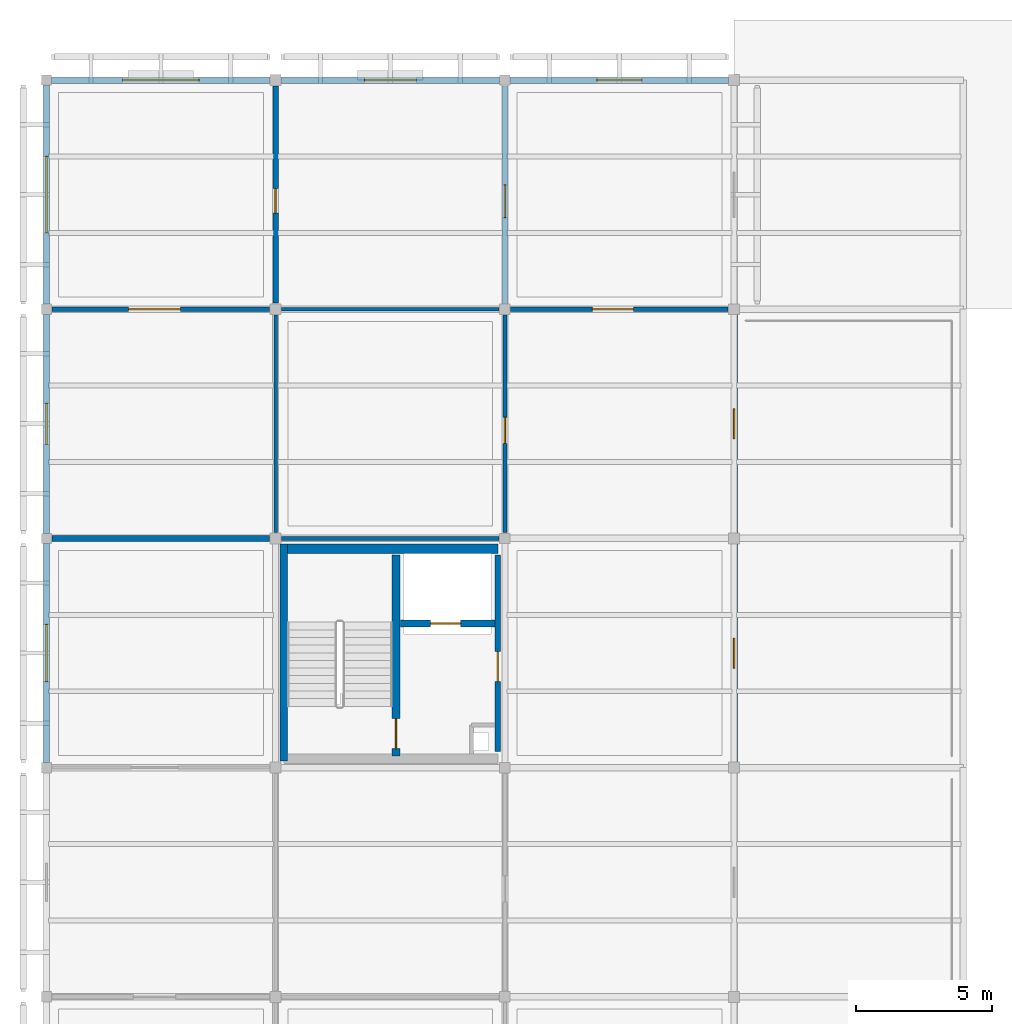
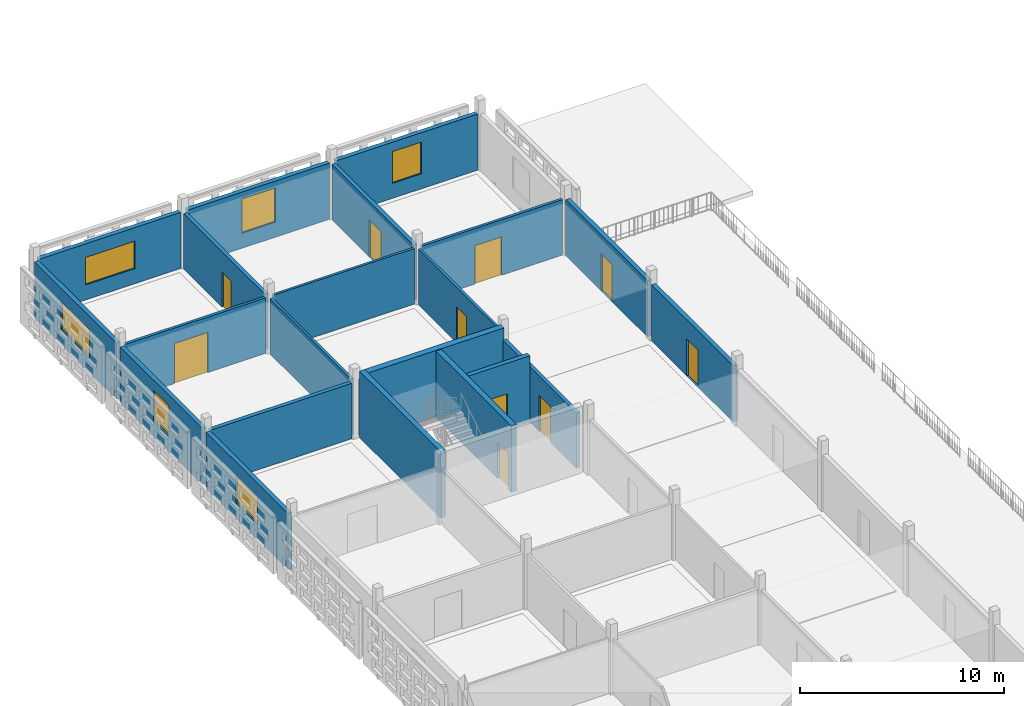
# One storey, part 20 of 31: 22 walls, 10 doors, 6 windows, 16 openings.
"""IFC4 building model written with IfcOpenShell, lengths in metres."""

from ifc_helpers import new_model, si_unit, direction, frame, frame_2d, origin, place, context, subcontext, project, spatial, rectangle, extrude, material, layer, layer_set, type_object, element, fill, save


model = new_model("IFC4")

# Units and contexts
model_context = context("Model", 3, precision=1e-05, world=origin(), true_north=direction((0.0, 1.0)))
body_context = subcontext(model_context, "Body", "Model", "MODEL_VIEW")
ifc_project = project(units=[si_unit("LENGTHUNIT", "METRE"), si_unit("AREAUNIT", "SQUARE_METRE"), si_unit("VOLUMEUNIT", "CUBIC_METRE"), si_unit("PLANEANGLEUNIT", "RADIAN"), si_unit("MASSUNIT", "GRAM", prefix="KILO")], contexts=[model_context])

# Site, building, storey
site_placement = place(None, origin())
site = spatial("IfcSite", under=ifc_project, at=site_placement, CompositionType="ELEMENT")
building_placement = place(site_placement, origin())
building = spatial("IfcBuilding", under=site, at=building_placement, Name="Varnapada Polytechnic", CompositionType="ELEMENT")
storey_placement = place(building_placement, frame((0.0, 0.0, 22.199951171875)))
storey = spatial("IfcBuildingStorey", under=building, at=storey_placement, Name="L05", CompositionType="ELEMENT", Elevation=22.199951171875)

# Wall, opening, door
ifc_material_1 = material(Name="Autoclaved Aerated Concrete Block AAC-600", Category="concrete")
ifc_layer_1 = layer(ifc_material_1, 0.199951171875)
ifc_layer_set_1 = layer_set([ifc_layer_1], Name="Autoclaved Aerated Concrete Block AAC-600")
wall_type_1 = type_object("IfcWallType", Name="Interior Wall IW-01", PredefinedType="PARTITIONING", material=ifc_layer_set_1)
wall_1_placement = place(storey_placement, frame((16.5400390625, 108.60009765625, 0.0), z_axis=(0.0, 0.0, 1.0), x_axis=(0.0, -1.0, 0.0)))
wall_1 = element("IfcWall", 1, at=wall_1_placement, inside=storey, type_object=wall_type_1, Name="L05 C1 firefighting lobby east wall", PredefinedType="PARTITIONING", context=body_context, shape_type="SweptSolid", body=[
    extrude(rectangle(XDim=7.2001953125, YDim=0.199951171875, at=frame_2d((3.60009765625, 0.0))), origin(), (0.0, 0.0, 1.0), 3.320068359375),
])
opening_1_placement = place(wall_1_placement, frame((3.550048828125, 0.0, 0.0)))
opening_1 = element("IfcOpeningElement", 2, at=opening_1_placement, cuts=wall_1, Name="Opening D-1312", PredefinedType="OPENING", context=body_context, shape_type="SweptSolid", body=[
    extrude(rectangle(XDim=1.10009765625, YDim=2.14990234375, at=frame_2d((0.550048828125, 1.074951171875))), frame((0.0, 0.10986328125, 0.0), z_axis=(0.0, -1.0, 0.0), x_axis=(1.0, 0.0, 0.0)), (0.0, 0.0, 1.0), 0.219970703125),
])
ifc_material_2 = material(Name="Galvanized Steel Z275", Category="steel")
door_type_1 = type_object("IfcDoorType", Name="Interior Door ID-01", OperationType="NOTDEFINED", PredefinedType="DOOR", material=ifc_material_2)
door_1_placement = place(opening_1_placement, frame((1.10009765625, 0.0, 0.0), z_axis=(0.0, 0.0, 1.0), x_axis=(-1.0, 0.0, 0.0)))
door_1 = element("IfcDoor", 3, at=door_1_placement, inside=storey, type_object=door_type_1, Name="L05 C1 lobby fire door D-1312", OperationType="SINGLE_SWING_RIGHT", OverallHeight=2.14990234375, OverallWidth=1.10009765625, PredefinedType="DOOR", context=body_context, shape_type="SweptSolid", body=[
    extrude(rectangle(XDim=1.10009765625, YDim=2.14990234375, at=frame_2d((0.550048828125, 1.074951171875))), frame((0.0, 0.02490234375, 0.0), z_axis=(0.0, -1.0, 0.0), x_axis=(1.0, 0.0, 0.0)), (0.0, 0.0, 1.0), 0.050048828125),
])
fill(opening_1, door_1)

# Walls
ifc_material_3 = material(Name="Moisture-Resistant Cement Board Partition")
ifc_layer_2 = layer(ifc_material_3, 0.139892578125)
ifc_layer_set_2 = layer_set([ifc_layer_2], Name="Moisture-Resistant Cement Board Partition")
wall_type_2 = type_object("IfcWallType", Name="Interior Wall IW-04", PredefinedType="PARTITIONING", material=ifc_layer_set_2)
wall_2_placement = place(storey_placement, frame((8.39990234375, 109.419921875, 0.0), z_axis=(0.0, 0.0, 1.0), x_axis=(0.0, 1.0, 0.0)))
element("IfcWall", 4, at=wall_2_placement, inside=storey, type_object=wall_type_2, Name="L05 interior partition IW-L05-00-13-V", PredefinedType="PARTITIONING", context=body_context, shape_type="SweptSolid", body=[
    extrude(rectangle(XDim=7.9599609375, YDim=0.139892578125, at=frame_2d((3.97998046875, 0.0))), origin(), (0.0, 0.0, 1.0), 3.320068359375),
])
wall_3_placement = place(storey_placement, frame((8.6201171875, 109.199951171875, 0.0), z_axis=(0.0, 0.0, 1.0), x_axis=(1.0, 0.0, 0.0)))
element("IfcWall", 5, at=wall_3_placement, inside=storey, type_object=wall_type_2, Name="L05 interior partition IW-L05-01-12-H", PredefinedType="PARTITIONING", context=body_context, shape_type="SweptSolid", body=[
    extrude(rectangle(XDim=7.969970703125, YDim=0.139892578125, at=frame_2d((3.98486328125, 0.0))), origin(), (0.0, 0.0, 1.0), 3.320068359375),
])

# Wall, opening, door
wall_4_placement = place(storey_placement, frame((16.800048828125, 109.409912109375, 0.0), z_axis=(0.0, 0.0, 1.0), x_axis=(0.0, 1.0, 0.0)))
wall_4 = element("IfcWall", 6, at=wall_4_placement, inside=storey, type_object=wall_type_2, Name="L05 interior partition IW-L05-01-13-V", PredefinedType="PARTITIONING", context=body_context, shape_type="SweptSolid", body=[
    extrude(rectangle(XDim=7.97998046875, YDim=0.139892578125, at=frame_2d((3.989990234375, 0.0))), origin(), (0.0, 0.0, 1.0), 3.320068359375),
])
opening_2_placement = place(wall_4_placement, frame((3.27490234375, 0.0, 0.0)))
opening_2 = element("IfcOpeningElement", 7, at=opening_2_placement, cuts=wall_4, Name="Opening D-1328", PredefinedType="OPENING", context=body_context, shape_type="SweptSolid", body=[
    extrude(rectangle(XDim=0.949951171875, YDim=2.14990234375, at=frame_2d((0.47509765625, 1.074951171875))), frame((0.0, 0.079833984375, 0.0), z_axis=(0.0, -1.0, 0.0), x_axis=(1.0, 0.0, 0.0)), (0.0, 0.0, 1.0), 0.159912109375),
])
ifc_material_4 = material(Name="Moisture-Resistant HPL Timber", Category="wood")
door_type_2 = type_object("IfcDoorType", Name="Interior Door ID-03", OperationType="NOTDEFINED", PredefinedType="DOOR", material=ifc_material_4)
door_2_placement = place(opening_2_placement, frame((0.949951171875, 0.0, 0.0), z_axis=(0.0, 0.0, 1.0), x_axis=(-1.0, 0.0, 0.0)))
door_2 = element("IfcDoor", 8, at=door_2_placement, inside=storey, type_object=door_type_2, Name="L05 interior room door D-1328", OperationType="SINGLE_SWING_LEFT", OverallHeight=2.14990234375, OverallWidth=0.949951171875, PredefinedType="DOOR", context=body_context, shape_type="SweptSolid", body=[
    extrude(rectangle(XDim=0.949951171875, YDim=2.14990234375, at=frame_2d((0.47509765625, 1.074951171875))), frame((0.0, 0.02490234375, 0.0), z_axis=(0.0, -1.0, 0.0), x_axis=(1.0, 0.0, 0.0)), (0.0, 0.0, 1.0), 0.050048828125),
])
fill(opening_2, door_2)

# Walls
wall_5_placement = place(storey_placement, frame((8.6201171875, 117.60009765625, 0.0), z_axis=(0.0, 0.0, 1.0), x_axis=(1.0, 0.0, 0.0)))
element("IfcWall", 9, at=wall_5_placement, inside=storey, type_object=wall_type_2, Name="L05 interior partition IW-L05-01-13-H", PredefinedType="PARTITIONING", context=body_context, shape_type="SweptSolid", body=[
    extrude(rectangle(XDim=7.969970703125, YDim=0.139892578125, at=frame_2d((3.98486328125, 0.0))), origin(), (0.0, 0.0, 1.0), 3.320068359375),
])
ifc_material_5 = material(Name="Heavy Acoustic Auditorium Baffle Wall")
ifc_layer_3 = layer(ifc_material_5, 0.219970703125)
ifc_layer_set_3 = layer_set([ifc_layer_3], Name="Heavy Acoustic Auditorium Baffle Wall")
wall_type_3 = type_object("IfcWallType", Name="Interior Wall IW-13", PredefinedType="PARTITIONING", material=ifc_layer_set_3)
wall_6_placement = place(storey_placement, frame((0.2099609375, 109.199951171875, 0.0), z_axis=(0.0, 0.0, 1.0), x_axis=(1.0, 0.0, 0.0)))
element("IfcWall", 10, at=wall_6_placement, inside=storey, type_object=wall_type_3, Name="L05 interior partition IW-L05-00-12-H", PredefinedType="PARTITIONING", context=body_context, shape_type="SweptSolid", body=[
    extrude(rectangle(XDim=7.969970703125, YDim=0.219970703125, at=frame_2d((3.98486328125, 0.0))), origin(), (0.0, 0.0, 1.0), 3.320068359375),
])

# Wall, opening, door
wall_7_placement = place(storey_placement, frame((16.800048828125, 117.81005859375, 0.0), z_axis=(0.0, 0.0, 1.0), x_axis=(0.0, 1.0, 0.0)))
wall_7 = element("IfcWall", 11, at=wall_7_placement, inside=storey, type_object=wall_type_3, Name="L05 interior partition IW-L05-01-14-V", PredefinedType="PARTITIONING", context=body_context, shape_type="SweptSolid", body=[
    extrude(rectangle(XDim=7.97998046875, YDim=0.219970703125, at=frame_2d((3.989990234375, 0.0))), origin(), (0.0, 0.0, 1.0), 3.320068359375),
])
opening_3_placement = place(wall_7_placement, frame((3.14990234375, 0.0, 0.0)))
opening_3 = element("IfcOpeningElement", 12, at=opening_3_placement, cuts=wall_7, Name="Opening D-1329", PredefinedType="OPENING", context=body_context, shape_type="SweptSolid", body=[
    extrude(rectangle(XDim=1.199951171875, YDim=2.199951171875, at=frame_2d((0.60009765625, 1.10009765625))), frame((0.0, 0.119873046875, 0.0), z_axis=(0.0, -1.0, 0.0), x_axis=(1.0, 0.0, 0.0)), (0.0, 0.0, 1.0), 0.239990234375),
])
ifc_material_6 = material(Name="Solid Teak Hardwood Timber", Category="wood")
door_type_3 = type_object("IfcDoorType", Name="Interior Door ID-05", OperationType="NOTDEFINED", PredefinedType="DOOR", material=ifc_material_6)
door_3_placement = place(opening_3_placement, origin())
door_3 = element("IfcDoor", 13, at=door_3_placement, inside=storey, type_object=door_type_3, Name="L05 interior room door D-1329", OperationType="SINGLE_SWING_RIGHT", OverallHeight=2.199951171875, OverallWidth=1.199951171875, PredefinedType="DOOR", context=body_context, shape_type="SweptSolid", body=[
    extrude(rectangle(XDim=1.199951171875, YDim=2.199951171875, at=frame_2d((0.60009765625, 1.10009765625))), frame((0.0, 0.02490234375, 0.0), z_axis=(0.0, -1.0, 0.0), x_axis=(1.0, 0.0, 0.0)), (0.0, 0.0, 1.0), 0.050048828125),
])
fill(opening_3, door_3)

ifc_material_7 = material(Name="Perforated Timber-Lined Seminar Wall", Category="wood")
ifc_layer_4 = layer(ifc_material_7, 0.155029296875)
ifc_layer_set_4 = layer_set([ifc_layer_4], Name="Perforated Timber-Lined Seminar Wall")
wall_type_4 = type_object("IfcWallType", Name="Interior Wall IW-15", PredefinedType="PARTITIONING", material=ifc_layer_set_4)
wall_8_placement = place(storey_placement, frame((0.2099609375, 117.60009765625, 0.0), z_axis=(0.0, 0.0, 1.0), x_axis=(1.0, 0.0, 0.0)))
wall_8 = element("IfcWall", 14, at=wall_8_placement, inside=storey, type_object=wall_type_4, Name="L05 interior partition IW-L05-00-13-H", PredefinedType="PARTITIONING", context=body_context, shape_type="SweptSolid", body=[
    extrude(rectangle(XDim=7.969970703125, YDim=0.155029296875, at=frame_2d((3.98486328125, 0.0))), origin(), (0.0, 0.0, 1.0), 3.320068359375),
])
opening_4_placement = place(wall_8_placement, frame((2.800048828125, 0.0, 0.0)))
opening_4 = element("IfcOpeningElement", 15, at=opening_4_placement, cuts=wall_8, Name="Opening D-1321", PredefinedType="OPENING", context=body_context, shape_type="SweptSolid", body=[
    extrude(rectangle(XDim=1.89990234375, YDim=2.39990234375, at=frame_2d((0.949951171875, 1.199951171875))), frame((0.0, 0.08740234375, 0.0), z_axis=(0.0, -1.0, 0.0), x_axis=(1.0, 0.0, 0.0)), (0.0, 0.0, 1.0), 0.175048828125),
])
ifc_material_8 = material(Name="Heavy Workshop Double Steel Door", Category="steel")
door_type_4 = type_object("IfcDoorType", Name="Interior Door ID-14", OperationType="NOTDEFINED", PredefinedType="DOOR", material=ifc_material_8)
door_4_placement = place(opening_4_placement, origin())
door_4 = element("IfcDoor", 16, at=door_4_placement, inside=storey, type_object=door_type_4, Name="L05 interior room door D-1321", OperationType="SINGLE_SWING_RIGHT", OverallHeight=2.39990234375, OverallWidth=1.89990234375, PredefinedType="DOOR", context=body_context, shape_type="SweptSolid", body=[
    extrude(rectangle(XDim=1.89990234375, YDim=2.39990234375, at=frame_2d((0.949951171875, 1.199951171875))), frame((0.0, 0.02490234375, 0.0), z_axis=(0.0, -1.0, 0.0), x_axis=(1.0, 0.0, 0.0)), (0.0, 0.0, 1.0), 0.050048828125),
])
fill(opening_4, door_4)

wall_9_placement = place(storey_placement, frame((17.010009765625, 117.60009765625, 0.0), z_axis=(0.0, 0.0, 1.0), x_axis=(1.0, 0.0, 0.0)))
wall_9 = element("IfcWall", 17, at=wall_9_placement, inside=storey, type_object=wall_type_4, Name="L05 interior partition IW-L05-02-13-H", PredefinedType="PARTITIONING", context=body_context, shape_type="SweptSolid", body=[
    extrude(rectangle(XDim=7.969970703125, YDim=0.155029296875, at=frame_2d((3.98486328125, 0.0))), origin(), (0.0, 0.0, 1.0), 3.320068359375),
])
opening_5_placement = place(wall_9_placement, frame((3.0, 0.0, 0.0)))
opening_5 = element("IfcOpeningElement", 18, at=opening_5_placement, cuts=wall_9, Name="Opening D-1331", PredefinedType="OPENING", context=body_context, shape_type="SweptSolid", body=[
    extrude(rectangle(XDim=1.5, YDim=2.300048828125, at=frame_2d((0.75, 1.14990234375))), frame((0.0, 0.08740234375, 0.0), z_axis=(0.0, -1.0, 0.0), x_axis=(1.0, 0.0, 0.0)), (0.0, 0.0, 1.0), 0.175048828125),
])
door_type_5 = type_object("IfcDoorType", Name="Interior Door ID-07", OperationType="NOTDEFINED", PredefinedType="DOOR", material=ifc_material_2)
door_5_placement = place(opening_5_placement, frame((1.5, 0.0, 0.0), z_axis=(0.0, 0.0, 1.0), x_axis=(-1.0, 0.0, 0.0)))
door_5 = element("IfcDoor", 19, at=door_5_placement, inside=storey, type_object=door_type_5, Name="L05 interior room door D-1331", OperationType="SINGLE_SWING_RIGHT", OverallHeight=2.300048828125, OverallWidth=1.5, PredefinedType="DOOR", context=body_context, shape_type="SweptSolid", body=[
    extrude(rectangle(XDim=1.5, YDim=2.300048828125, at=frame_2d((0.75, 1.14990234375))), frame((0.0, 0.02490234375, 0.0), z_axis=(0.0, -1.0, 0.0), x_axis=(1.0, 0.0, 0.0)), (0.0, 0.0, 1.0), 0.050048828125),
])
fill(opening_5, door_5)

ifc_material_9 = material(Name="Heavy Masonry Workshop Partition", Category="masonry")
ifc_layer_5 = layer(ifc_material_9, 0.2099609375)
ifc_layer_set_5 = layer_set([ifc_layer_5], Name="Heavy Masonry Workshop Partition")
wall_type_5 = type_object("IfcWallType", Name="Interior Wall IW-16", PredefinedType="PARTITIONING", material=ifc_layer_set_5)
wall_10_placement = place(storey_placement, frame((8.39990234375, 117.820068359375, 0.0), z_axis=(0.0, 0.0, 1.0), x_axis=(0.0, 1.0, 0.0)))
wall_10 = element("IfcWall", 20, at=wall_10_placement, inside=storey, type_object=wall_type_5, Name="L05 interior partition IW-L05-00-14-V", PredefinedType="PARTITIONING", context=body_context, shape_type="SweptSolid", body=[
    extrude(rectangle(XDim=7.9599609375, YDim=0.2099609375, at=frame_2d((3.97998046875, 0.0))), origin(), (0.0, 0.0, 1.0), 3.320068359375),
])
opening_6_placement = place(wall_10_placement, frame((3.300048828125, 0.0, 0.0)))
opening_6 = element("IfcOpeningElement", 21, at=opening_6_placement, cuts=wall_10, Name="Opening D-1322", PredefinedType="OPENING", context=body_context, shape_type="SweptSolid", body=[
    extrude(rectangle(XDim=0.89990234375, YDim=2.10009765625, at=frame_2d((0.449951171875, 1.050048828125))), frame((0.0, 0.114990234375, 0.0), z_axis=(0.0, -1.0, 0.0), x_axis=(1.0, 0.0, 0.0)), (0.0, 0.0, 1.0), 0.22998046875),
])
door_type_6 = type_object("IfcDoorType", Name="Interior Door ID-15", OperationType="NOTDEFINED", PredefinedType="DOOR", material=ifc_material_4)
door_6_placement = place(opening_6_placement, frame((0.89990234375, 0.0, 0.0), z_axis=(0.0, 0.0, 1.0), x_axis=(-1.0, 0.0, 0.0)))
door_6 = element("IfcDoor", 22, at=door_6_placement, inside=storey, type_object=door_type_6, Name="L05 interior room door D-1322", OperationType="SINGLE_SWING_LEFT", OverallHeight=2.10009765625, OverallWidth=0.89990234375, PredefinedType="DOOR", context=body_context, shape_type="SweptSolid", body=[
    extrude(rectangle(XDim=0.89990234375, YDim=2.10009765625, at=frame_2d((0.449951171875, 1.050048828125))), frame((0.0, 0.02490234375, 0.0), z_axis=(0.0, -1.0, 0.0), x_axis=(1.0, 0.0, 0.0)), (0.0, 0.0, 1.0), 0.050048828125),
])
fill(opening_6, door_6)

# Wall
ifc_material_10 = material(Name="Concrete C40/50", Category="concrete")
ifc_layer_6 = layer(ifc_material_10, 0.35009765625)
ifc_layer_set_6 = layer_set([ifc_layer_6], Name="Concrete C40/50")
wall_type_6 = type_object("IfcWallType", Name="Interior Wall SW-01", PredefinedType="SHEAR", material=ifc_layer_set_6)
wall_11_placement = place(storey_placement, frame((8.699951171875, 108.820068359375, 0.0), z_axis=(0.0, 0.0, 1.0), x_axis=(1.0, 0.0, 0.0)))
element("IfcWall", 23, at=wall_11_placement, inside=storey, type_object=wall_type_6, Name="L05 C1 core north shear wall", PredefinedType="SHEAR", context=body_context, shape_type="SweptSolid", body=[
    extrude(rectangle(XDim=7.840087890625, YDim=0.35009765625, at=frame_2d((3.919921875, 0.0))), origin(), (0.0, 0.0, 1.0), 3.97998046875),
])

# Wall, opening, door
ifc_layer_7 = layer(ifc_material_10, 0.300048828125)
ifc_layer_set_7 = layer_set([ifc_layer_7], Name="Concrete C40/50")
wall_type_7 = type_object("IfcWallType", Name="Interior Wall SW-02", PredefinedType="SHEAR", material=ifc_layer_set_7)
wall_12_placement = place(storey_placement, frame((12.81005859375, 101.219970703125, 0.0), z_axis=(0.0, 0.0, 1.0), x_axis=(0.0, 1.0, 0.0)))
wall_12 = element("IfcWall", 24, at=wall_12_placement, inside=storey, type_object=wall_type_7, Name="L05 C1 stair-lobby dividing shear wall", PredefinedType="SHEAR", context=body_context, shape_type="SweptSolid", body=[
    extrude(rectangle(XDim=7.380126953125, YDim=0.300048828125, at=frame_2d((3.68994140625, 0.0))), origin(), (0.0, 0.0, 1.0), 3.97998046875),
])
opening_7_placement = place(wall_12_placement, frame((0.280029296875, 0.0, 0.0)))
opening_7 = element("IfcOpeningElement", 25, at=opening_7_placement, cuts=wall_12, Name="Opening D-1313", PredefinedType="OPENING", context=body_context, shape_type="SweptSolid", body=[
    extrude(rectangle(XDim=1.10009765625, YDim=2.14990234375, at=frame_2d((0.550048828125, 1.074951171875))), frame((0.0, 0.159912109375, 0.0), z_axis=(0.0, -1.0, 0.0), x_axis=(1.0, 0.0, 0.0)), (0.0, 0.0, 1.0), 0.320068359375),
])
door_7_placement = place(opening_7_placement, origin())
door_7 = element("IfcDoor", 26, at=door_7_placement, inside=storey, type_object=door_type_1, Name="L05 C1 exit stair door D-1313", OperationType="SINGLE_SWING_RIGHT", OverallHeight=2.14990234375, OverallWidth=1.10009765625, PredefinedType="DOOR", context=body_context, shape_type="SweptSolid", body=[
    extrude(rectangle(XDim=1.10009765625, YDim=2.14990234375, at=frame_2d((0.550048828125, 1.074951171875))), frame((0.0, 0.02490234375, 0.0), z_axis=(0.0, -1.0, 0.0), x_axis=(1.0, 0.0, 0.0)), (0.0, 0.0, 1.0), 0.050048828125),
])
fill(opening_7, door_7)

# Wall
ifc_layer_8 = layer(ifc_material_10, 0.280029296875)
ifc_layer_set_8 = layer_set([ifc_layer_8], Name="Concrete C40/50")
wall_type_8 = type_object("IfcWallType", Name="Interior Wall SW-04", PredefinedType="SHEAR", material=ifc_layer_set_8)
wall_13_placement = place(storey_placement, frame((8.699951171875, 101.050048828125, 0.0), z_axis=(0.0, 0.0, 1.0), x_axis=(0.0, 1.0, 0.0)))
element("IfcWall", 27, at=wall_13_placement, inside=storey, type_object=wall_type_8, Name="L05 C1 stair west shear wall", PredefinedType="SHEAR", context=body_context, shape_type="SweptSolid", body=[
    extrude(rectangle(XDim=7.93994140625, YDim=0.280029296875, at=frame_2d((3.969970703125, 0.0))), origin(), (0.0, 0.0, 1.0), 3.97998046875),
])

# Wall, opening, door
ifc_layer_9 = layer(ifc_material_10, 0.25)
ifc_layer_set_9 = layer_set([ifc_layer_9], Name="Concrete C40/50")
wall_type_9 = type_object("IfcWallType", Name="Interior Wall SW-05", PredefinedType="SHEAR", material=ifc_layer_set_9)
wall_14_placement = place(storey_placement, frame((12.97998046875, 106.080078125, 0.0), z_axis=(0.0, 0.0, 1.0), x_axis=(1.0, 0.0, 0.0)))
wall_14 = element("IfcWall", 28, at=wall_14_placement, inside=storey, type_object=wall_type_9, Name="L05 C1 lift shaft front wall", PredefinedType="SHEAR", context=body_context, shape_type="SweptSolid", body=[
    extrude(rectangle(XDim=3.4599609375, YDim=0.25, at=frame_2d((1.72998046875, 0.0))), origin(), (0.0, 0.0, 1.0), 3.97998046875),
])
opening_8_placement = place(wall_14_placement, frame((1.10009765625, 0.0, 0.0)))
opening_8 = element("IfcOpeningElement", 29, at=opening_8_placement, cuts=wall_14, Name="Opening LD-035", PredefinedType="OPENING", context=body_context, shape_type="SweptSolid", body=[
    extrude(rectangle(XDim=1.10009765625, YDim=2.14990234375, at=frame_2d((0.550048828125, 1.074951171875))), frame((0.0, 0.135009765625, 0.0), z_axis=(0.0, -1.0, 0.0), x_axis=(1.0, 0.0, 0.0)), (0.0, 0.0, 1.0), 0.27001953125),
])
ifc_material_11 = material(Name="Brushed Stainless Steel 316", Category="steel")
door_type_7 = type_object("IfcDoorType", Name="Interior Door LD-01", OperationType="NOTDEFINED", PredefinedType="DOOR", material=ifc_material_11)
door_8_placement = place(opening_8_placement, origin())
door_8 = element("IfcDoor", 30, at=door_8_placement, inside=storey, type_object=door_type_7, Name="L05 LFT-01 sliding lift landing door LD-035", OperationType="DOUBLE_DOOR_SLIDING", OverallHeight=2.14990234375, OverallWidth=1.10009765625, PredefinedType="DOOR", context=body_context, shape_type="SweptSolid", body=[
    extrude(rectangle(XDim=1.10009765625, YDim=2.14990234375, at=frame_2d((0.550048828125, 1.074951171875))), frame((0.0, 0.02490234375, 0.0), z_axis=(0.0, -1.0, 0.0), x_axis=(1.0, 0.0, 0.0)), (0.0, 0.0, 1.0), 0.050048828125),
])
fill(opening_8, door_8)

# Wall, opening, window
ifc_material_12 = material(Name="Precast concrete C40/50", Category="concrete")
ifc_layer_10 = layer(ifc_material_12, 0.239990234375)
ifc_layer_set_10 = layer_set([ifc_layer_10], Name="Precast concrete C40/50")
wall_type_10 = type_object("IfcWallType", Name="Wall EW-06", PredefinedType="SOLIDWALL", material=ifc_layer_set_10)
wall_15_placement = place(storey_placement, frame((0.0, 100.989990234375, 0.0), z_axis=(0.0, 0.0, 1.0), x_axis=(0.0, 1.0, 0.0)))
wall_15 = element("IfcWall", 31, at=wall_15_placement, inside=storey, type_object=wall_type_10, Name="L05 exterior wall EW-06 (8)", PredefinedType="SOLIDWALL", context=body_context, shape_type="SweptSolid", body=[
    extrude(rectangle(XDim=8.02001953125, YDim=0.239990234375, at=frame_2d((4.010009765625, 0.0))), origin(), (0.0, 0.0, 1.0), 3.360107421875),
])
opening_9_placement = place(wall_15_placement, frame((2.9599609375, 0.0, 0.89990234375)))
opening_9 = element("IfcOpeningElement", 32, at=opening_9_placement, cuts=wall_15, Name="Opening WN-07", PredefinedType="OPENING", context=body_context, shape_type="SweptSolid", body=[
    extrude(rectangle(XDim=2.10009765625, YDim=1.60009765625, at=frame_2d((1.050048828125, 0.800048828125))), frame((0.0, 0.1298828125, 0.0), z_axis=(0.0, -1.0, 0.0), x_axis=(1.0, 0.0, 0.0)), (0.0, 0.0, 1.0), 0.260009765625),
])
ifc_material_13 = material(Name="Double low-E laminated glass", Category="glass")
window_type_1 = type_object("IfcWindowType", Name="Window WN-07", PartitioningType="SINGLE_PANEL", PredefinedType="WINDOW", material=ifc_material_13)
window_1_placement = place(opening_9_placement, origin())
window_1 = element("IfcWindow", 33, at=window_1_placement, inside=storey, type_object=window_type_1, Name="L05 window WN-07 (238)", OverallHeight=1.60009765625, OverallWidth=2.10009765625, PartitioningType="SINGLE_PANEL", PredefinedType="WINDOW", context=body_context, shape_type="SweptSolid", body=[
    extrude(rectangle(XDim=2.10009765625, YDim=1.60009765625, at=frame_2d((1.050048828125, 0.800048828125))), frame((0.0, 0.030029296875, 0.0), z_axis=(0.0, -1.0, 0.0), x_axis=(1.0, 0.0, 0.0)), (0.0, 0.0, 1.0), 0.06005859375),
])
fill(opening_9, window_1)

wall_16_placement = place(storey_placement, frame((0.0, 109.389892578125, 0.0), z_axis=(0.0, 0.0, 1.0), x_axis=(0.0, 1.0, 0.0)))
wall_16 = element("IfcWall", 34, at=wall_16_placement, inside=storey, type_object=wall_type_10, Name="L05 exterior wall EW-06 (9)", PredefinedType="SOLIDWALL", context=body_context, shape_type="SweptSolid", body=[
    extrude(rectangle(XDim=8.02001953125, YDim=0.239990234375, at=frame_2d((4.010009765625, 0.0))), origin(), (0.0, 0.0, 1.0), 3.360107421875),
])
opening_10_placement = place(wall_16_placement, frame((3.260009765625, 0.0, 0.89990234375)))
opening_10 = element("IfcOpeningElement", 35, at=opening_10_placement, cuts=wall_16, Name="Opening WN-10", PredefinedType="OPENING", context=body_context, shape_type="SweptSolid", body=[
    extrude(rectangle(XDim=1.5, YDim=1.85009765625, at=frame_2d((0.75, 0.925048828125))), frame((0.0, 0.1298828125, 0.0), z_axis=(0.0, -1.0, 0.0), x_axis=(1.0, 0.0, 0.0)), (0.0, 0.0, 1.0), 0.260009765625),
])
window_type_2 = type_object("IfcWindowType", Name="Window WN-10", PartitioningType="SINGLE_PANEL", PredefinedType="WINDOW", material=ifc_material_13)
window_2_placement = place(opening_10_placement, origin())
window_2 = element("IfcWindow", 36, at=window_2_placement, inside=storey, type_object=window_type_2, Name="L05 window WN-10 (239)", OverallHeight=1.85009765625, OverallWidth=1.5, PartitioningType="SINGLE_PANEL", PredefinedType="WINDOW", context=body_context, shape_type="SweptSolid", body=[
    extrude(rectangle(XDim=1.5, YDim=1.85009765625, at=frame_2d((0.75, 0.925048828125))), frame((0.0, 0.030029296875, 0.0), z_axis=(0.0, -1.0, 0.0), x_axis=(1.0, 0.0, 0.0)), (0.0, 0.0, 1.0), 0.06005859375),
])
fill(opening_10, window_2)

wall_17_placement = place(storey_placement, frame((0.18994140625, 126.0, 0.0), z_axis=(0.0, 0.0, 1.0), x_axis=(1.0, 0.0, 0.0)))
wall_17 = element("IfcWall", 37, at=wall_17_placement, inside=storey, type_object=wall_type_10, Name="L05 exterior wall EW-06 (10)", PredefinedType="SOLIDWALL", context=body_context, shape_type="SweptSolid", body=[
    extrude(rectangle(XDim=8.010009765625, YDim=0.239990234375, at=frame_2d((4.0048828125, 0.0))), origin(), (0.0, 0.0, 1.0), 3.360107421875),
])
opening_11_placement = place(wall_17_placement, frame((2.60498046875, 0.0, 0.89990234375)))
opening_11 = element("IfcOpeningElement", 38, at=opening_11_placement, cuts=wall_17, Name="Opening WN-13", PredefinedType="OPENING", context=body_context, shape_type="SweptSolid", body=[
    extrude(rectangle(XDim=2.800048828125, YDim=1.64990234375, at=frame_2d((1.39990234375, 0.824951171875))), frame((0.0, 0.1298828125, 0.0), z_axis=(0.0, -1.0, 0.0), x_axis=(1.0, 0.0, 0.0)), (0.0, 0.0, 1.0), 0.260009765625),
])
window_type_3 = type_object("IfcWindowType", Name="Window WN-13", PartitioningType="SINGLE_PANEL", PredefinedType="WINDOW", material=ifc_material_13)
window_3_placement = place(opening_11_placement, origin())
window_3 = element("IfcWindow", 39, at=window_3_placement, inside=storey, type_object=window_type_3, Name="L05 window WN-13 (240)", OverallHeight=1.64990234375, OverallWidth=2.800048828125, PartitioningType="SINGLE_PANEL", PredefinedType="WINDOW", context=body_context, shape_type="SweptSolid", body=[
    extrude(rectangle(XDim=2.800048828125, YDim=1.64990234375, at=frame_2d((1.39990234375, 0.824951171875))), frame((0.0, 0.030029296875, 0.0), z_axis=(0.0, -1.0, 0.0), x_axis=(1.0, 0.0, 0.0)), (0.0, 0.0, 1.0), 0.06005859375),
])
fill(opening_11, window_3)

wall_18_placement = place(storey_placement, frame((0.0, 117.7900390625, 0.0), z_axis=(0.0, 0.0, 1.0), x_axis=(0.0, 1.0, 0.0)))
wall_18 = element("IfcWall", 40, at=wall_18_placement, inside=storey, type_object=wall_type_10, Name="L05 exterior wall EW-06 (11)", PredefinedType="SOLIDWALL", context=body_context, shape_type="SweptSolid", body=[
    extrude(rectangle(XDim=8.02001953125, YDim=0.239990234375, at=frame_2d((4.010009765625, 0.0))), origin(), (0.0, 0.0, 1.0), 3.360107421875),
])
opening_12_placement = place(wall_18_placement, frame((2.610107421875, 0.0, 0.89990234375)))
opening_12 = element("IfcOpeningElement", 41, at=opening_12_placement, cuts=wall_18, Name="Opening WN-13", PredefinedType="OPENING", context=body_context, shape_type="SweptSolid", body=[
    extrude(rectangle(XDim=2.800048828125, YDim=1.64990234375, at=frame_2d((1.39990234375, 0.824951171875))), frame((0.0, 0.1298828125, 0.0), z_axis=(0.0, -1.0, 0.0), x_axis=(1.0, 0.0, 0.0)), (0.0, 0.0, 1.0), 0.260009765625),
])
window_4_placement = place(opening_12_placement, origin())
window_4 = element("IfcWindow", 42, at=window_4_placement, inside=storey, type_object=window_type_3, Name="L05 window WN-13 (241)", OverallHeight=1.64990234375, OverallWidth=2.800048828125, PartitioningType="SINGLE_PANEL", PredefinedType="WINDOW", context=body_context, shape_type="SweptSolid", body=[
    extrude(rectangle(XDim=2.800048828125, YDim=1.64990234375, at=frame_2d((1.39990234375, 0.824951171875))), frame((0.0, 0.030029296875, 0.0), z_axis=(0.0, -1.0, 0.0), x_axis=(1.0, 0.0, 0.0)), (0.0, 0.0, 1.0), 0.06005859375),
])
fill(opening_12, window_4)

wall_19_placement = place(storey_placement, frame((8.60009765625, 126.0, 0.0), z_axis=(0.0, 0.0, 1.0), x_axis=(1.0, 0.0, 0.0)))
wall_19 = element("IfcWall", 43, at=wall_19_placement, inside=storey, type_object=wall_type_10, Name="L05 exterior wall EW-06 (13)", PredefinedType="SOLIDWALL", context=body_context, shape_type="SweptSolid", body=[
    extrude(rectangle(XDim=8.010009765625, YDim=0.239990234375, at=frame_2d((4.0048828125, 0.0))), origin(), (0.0, 0.0, 1.0), 3.360107421875),
])
opening_13_placement = place(wall_19_placement, frame((3.054931640625, 0.0, 0.89990234375)))
opening_13 = element("IfcOpeningElement", 44, at=opening_13_placement, cuts=wall_19, Name="Opening WN-18", PredefinedType="OPENING", context=body_context, shape_type="SweptSolid", body=[
    extrude(rectangle(XDim=1.89990234375, YDim=2.050048828125, at=frame_2d((0.949951171875, 1.02490234375))), frame((0.0, 0.1298828125, 0.0), z_axis=(0.0, -1.0, 0.0), x_axis=(1.0, 0.0, 0.0)), (0.0, 0.0, 1.0), 0.260009765625),
])
window_type_4 = type_object("IfcWindowType", Name="Window WN-18", PartitioningType="SINGLE_PANEL", PredefinedType="WINDOW", material=ifc_material_13)
window_5_placement = place(opening_13_placement, origin())
window_5 = element("IfcWindow", 45, at=window_5_placement, inside=storey, type_object=window_type_4, Name="L05 window WN-18 (243)", OverallHeight=2.050048828125, OverallWidth=1.89990234375, PartitioningType="SINGLE_PANEL", PredefinedType="WINDOW", context=body_context, shape_type="SweptSolid", body=[
    extrude(rectangle(XDim=1.89990234375, YDim=2.050048828125, at=frame_2d((0.949951171875, 1.02490234375))), frame((0.0, 0.030029296875, 0.0), z_axis=(0.0, -1.0, 0.0), x_axis=(1.0, 0.0, 0.0)), (0.0, 0.0, 1.0), 0.06005859375),
])
fill(opening_13, window_5)

# Wall, opening, door
wall_20_placement = place(storey_placement, frame((25.199951171875, 109.0, 0.0), z_axis=(0.0, 0.0, 1.0), x_axis=(0.0, -1.0, 0.0)))
wall_20 = element("IfcWall", 46, at=wall_20_placement, inside=storey, type_object=wall_type_10, Name="L05 exterior wall EW-06 (21)", PredefinedType="SOLIDWALL", context=body_context, shape_type="SweptSolid", body=[
    extrude(rectangle(XDim=8.0, YDim=0.239990234375, at=frame_2d((4.0, 0.0))), origin(), (0.0, 0.0, 1.0), 3.360107421875),
])
opening_14_placement = place(wall_20_placement, frame((3.449951171875, 0.0, 0.0)))
opening_14 = element("IfcOpeningElement", 47, at=opening_14_placement, cuts=wall_20, Name="Opening D-058", PredefinedType="OPENING", context=body_context, shape_type="SweptSolid", body=[
    extrude(rectangle(XDim=1.10009765625, YDim=2.199951171875, at=frame_2d((0.550048828125, 1.10009765625))), frame((0.0, 0.1298828125, 0.0), z_axis=(0.0, -1.0, 0.0), x_axis=(1.0, 0.0, 0.0)), (0.0, 0.0, 1.0), 0.260009765625),
])
ifc_material_14 = material(Name="Anodised aluminium and laminated glass", Category="aluminium")
door_type_8 = type_object("IfcDoorType", Name="Exterior Door ED-03", OperationType="NOTDEFINED", PredefinedType="DOOR", material=ifc_material_14)
door_9_placement = place(opening_14_placement, origin())
door_9 = element("IfcDoor", 48, at=door_9_placement, inside=storey, type_object=door_type_8, Name="L05 roof terrace access door D-058", OperationType="SINGLE_SWING_LEFT", OverallHeight=2.199951171875, OverallWidth=1.10009765625, PredefinedType="DOOR", context=body_context, shape_type="SweptSolid", body=[
    extrude(rectangle(XDim=1.10009765625, YDim=2.199951171875, at=frame_2d((0.550048828125, 1.10009765625))), frame((0.0, 0.02490234375, 0.0), z_axis=(0.0, -1.0, 0.0), x_axis=(1.0, 0.0, 0.0)), (0.0, 0.0, 1.0), 0.050048828125),
])
fill(opening_14, door_9)

wall_21_placement = place(storey_placement, frame((25.199951171875, 117.39990234375, 0.0), z_axis=(0.0, 0.0, 1.0), x_axis=(0.0, -1.0, 0.0)))
wall_21 = element("IfcWall", 49, at=wall_21_placement, inside=storey, type_object=wall_type_10, Name="L05 exterior wall EW-06 (22)", PredefinedType="SOLIDWALL", context=body_context, shape_type="SweptSolid", body=[
    extrude(rectangle(XDim=8.0, YDim=0.239990234375, at=frame_2d((4.0, 0.0))), origin(), (0.0, 0.0, 1.0), 3.360107421875),
])
opening_15_placement = place(wall_21_placement, frame((3.449951171875, 0.0, 0.0)))
opening_15 = element("IfcOpeningElement", 50, at=opening_15_placement, cuts=wall_21, Name="Opening D-059", PredefinedType="OPENING", context=body_context, shape_type="SweptSolid", body=[
    extrude(rectangle(XDim=1.10009765625, YDim=2.199951171875, at=frame_2d((0.550048828125, 1.10009765625))), frame((0.0, 0.1298828125, 0.0), z_axis=(0.0, -1.0, 0.0), x_axis=(1.0, 0.0, 0.0)), (0.0, 0.0, 1.0), 0.260009765625),
])
door_10_placement = place(opening_15_placement, origin())
door_10 = element("IfcDoor", 51, at=door_10_placement, inside=storey, type_object=door_type_8, Name="L05 roof terrace access door D-059", OperationType="SINGLE_SWING_RIGHT", OverallHeight=2.199951171875, OverallWidth=1.10009765625, PredefinedType="DOOR", context=body_context, shape_type="SweptSolid", body=[
    extrude(rectangle(XDim=1.10009765625, YDim=2.199951171875, at=frame_2d((0.550048828125, 1.10009765625))), frame((0.0, 0.02490234375, 0.0), z_axis=(0.0, -1.0, 0.0), x_axis=(1.0, 0.0, 0.0)), (0.0, 0.0, 1.0), 0.050048828125),
])
fill(opening_15, door_10)

# Wall, opening, window
wall_22_placement = place(storey_placement, frame((16.989990234375, 126.0, 0.0), z_axis=(0.0, 0.0, 1.0), x_axis=(1.0, 0.0, 0.0)))
wall_22 = element("IfcWall", 52, at=wall_22_placement, inside=storey, type_object=wall_type_10, Name="L05 exterior wall EW-06 (23)", PredefinedType="SOLIDWALL", context=body_context, shape_type="SweptSolid", body=[
    extrude(rectangle(XDim=8.010009765625, YDim=0.239990234375, at=frame_2d((4.0048828125, 0.0))), origin(), (0.0, 0.0, 1.0), 3.360107421875),
])
opening_16_placement = place(wall_22_placement, frame((3.179931640625, 0.0, 0.89990234375)))
opening_16 = element("IfcOpeningElement", 53, at=opening_16_placement, cuts=wall_22, Name="Opening WN-23", PredefinedType="OPENING", context=body_context, shape_type="SweptSolid", body=[
    extrude(rectangle(XDim=1.64990234375, YDim=1.89990234375, at=frame_2d((0.824951171875, 0.949951171875))), frame((0.0, 0.1298828125, 0.0), z_axis=(0.0, -1.0, 0.0), x_axis=(1.0, 0.0, 0.0)), (0.0, 0.0, 1.0), 0.260009765625),
])
window_type_5 = type_object("IfcWindowType", Name="Window WN-23", PartitioningType="SINGLE_PANEL", PredefinedType="WINDOW", material=ifc_material_13)
window_6_placement = place(opening_16_placement, origin())
window_6 = element("IfcWindow", 54, at=window_6_placement, inside=storey, type_object=window_type_5, Name="L05 window WN-23 (246)", OverallHeight=1.89990234375, OverallWidth=1.64990234375, PartitioningType="SINGLE_PANEL", PredefinedType="WINDOW", context=body_context, shape_type="SweptSolid", body=[
    extrude(rectangle(XDim=1.64990234375, YDim=1.89990234375, at=frame_2d((0.824951171875, 0.949951171875))), frame((0.0, 0.030029296875, 0.0), z_axis=(0.0, -1.0, 0.0), x_axis=(1.0, 0.0, 0.0)), (0.0, 0.0, 1.0), 0.06005859375),
])
fill(opening_16, window_6)

save(model, "model.ifc")
